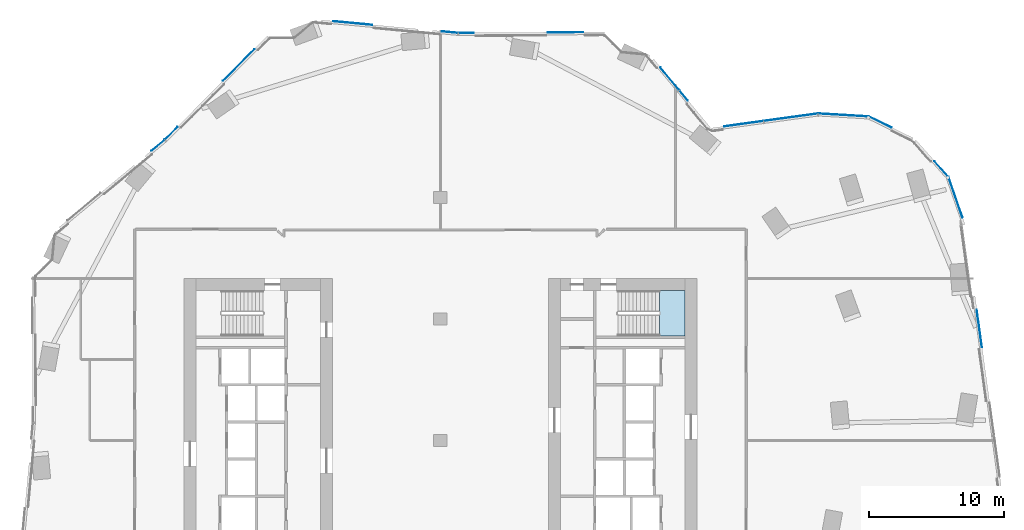
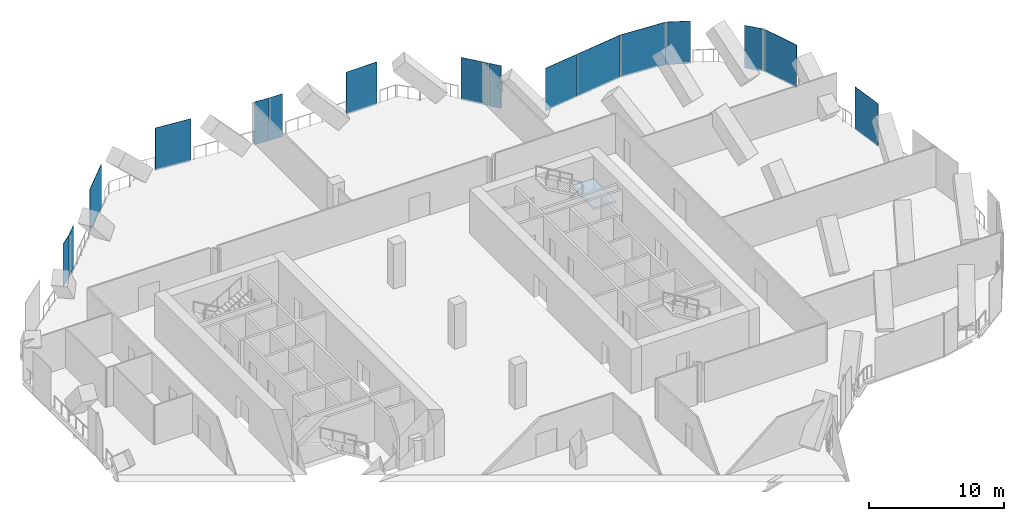
# One storey, part 19 of 29: 16 plates, 1 slab, 12 elements without a shape of their own.
"""IFC4 building model written with IfcOpenShell, lengths in metres."""

from ifc_helpers import new_model, si_unit, direction, frame, origin, origin_2d, place, context, subcontext, project, spatial, polyline, rectangle, outline, extrude, material, layer, layer_set, type_object, element, aggregate, save


model = new_model("IFC4")

# Units and contexts
model_context = context("Model", 3, precision=1e-05, world=origin(), true_north=direction((0.0, 1.0)))
body_context = subcontext(model_context, "Body", "Model", "MODEL_VIEW")
ifc_project = project(units=[si_unit("LENGTHUNIT", "METRE"), si_unit("AREAUNIT", "SQUARE_METRE"), si_unit("VOLUMEUNIT", "CUBIC_METRE"), si_unit("PLANEANGLEUNIT", "RADIAN"), si_unit("MASSUNIT", "GRAM", prefix="KILO")], contexts=[model_context])

# Site, building, storey
site_placement = place(None, origin())
site = spatial("IfcSite", under=ifc_project, at=site_placement, CompositionType="ELEMENT")
building_placement = place(site_placement, origin())
building = spatial("IfcBuilding", under=site, at=building_placement, Name="Orlundy Tower", CompositionType="ELEMENT")
storey_placement = place(building_placement, frame((0.0, 0.0, 184.60009765625)))
storey = spatial("IfcBuildingStorey", under=building, at=storey_placement, Name="L48", CompositionType="ELEMENT", Elevation=184.60009765625)

# Curtain wall, plate
ifc_material_1 = material(Name="Aluminium bronze anodised", Category="aluminium")
curtain_wall_type = type_object("IfcCurtainWallType", Name="CW5 wall", PredefinedType="NOTDEFINED", material=ifc_material_1)
curtain_wall_1_placement = place(storey_placement, origin())
curtain_wall_1 = element("IfcCurtainWall", 1, at=curtain_wall_1_placement, inside=storey, type_object=curtain_wall_type, Name="CW5 run 07", PredefinedType="NOTDEFINED")
ifc_material_2 = material(Name="Tinted glass", Category="glass")
ifc_layer_1 = layer(ifc_material_2, 0.031982421875)
ifc_layer_set_1 = layer_set([ifc_layer_1], Name="CW5 glass panel 32")
plate_type_1 = type_object("IfcPlateType", Name="CW5 glass panel 32", PredefinedType="CURTAIN_PANEL", material=ifc_layer_set_1)
plate_1_placement = place(storey_placement, frame((-20.9208984375, 21.863037109375, -0.2802734375), z_axis=(0.0, 0.0, 1.0), x_axis=(0.769777681772, 0.638312087185, 0.0)))
plate_1 = element("IfcPlate", 2, at=plate_1_placement, type_object=plate_type_1, Name="CW5 panel", PredefinedType="CURTAIN_PANEL", context=body_context, shape_type="SweptSolid", body=[
    extrude(rectangle(XDim=1.252685546875, YDim=0.031982421875, at=origin_2d()), origin(), (0.0, 0.0, 1.0), 3.860107421875),
])
aggregate(curtain_wall_1, [plate_1])

curtain_wall_2_placement = place(storey_placement, origin())
curtain_wall_2 = element("IfcCurtainWall", 3, at=curtain_wall_2_placement, inside=storey, type_object=curtain_wall_type, Name="CW5 run 08", PredefinedType="NOTDEFINED")
plate_2_placement = place(storey_placement, frame((-14.9443359375, 27.818115234375, -0.2802734375), z_axis=(0.0, 0.0, 1.0), x_axis=(0.702983279924, 0.711206375215, 0.0)))
plate_2 = element("IfcPlate", 4, at=plate_2_placement, type_object=plate_type_1, Name="CW5 panel", PredefinedType="CURTAIN_PANEL", context=body_context, shape_type="SweptSolid", body=[
    extrude(rectangle(XDim=3.2978515625, YDim=0.031982421875, at=origin_2d()), origin(), (0.0, 0.0, 1.0), 3.860107421875),
])

# Curtain wall, plates
curtain_wall_3_placement = place(storey_placement, origin())
curtain_wall_3 = element("IfcCurtainWall", 5, at=curtain_wall_3_placement, inside=storey, type_object=curtain_wall_type, Name="CW5 run 011", PredefinedType="NOTDEFINED")
plate_3_placement = place(storey_placement, frame((-6.49755859375, 30.921630859375, -0.2802734375), z_axis=(0.0, 0.0, 1.0), x_axis=(0.995669988936, -0.092958448423, 0.0)))
plate_3 = element("IfcPlate", 6, at=plate_3_placement, type_object=plate_type_1, Name="CW5 panel", PredefinedType="CURTAIN_PANEL", context=body_context, shape_type="SweptSolid", body=[
    extrude(rectangle(XDim=2.92919921875, YDim=0.031982421875, at=origin_2d()), origin(), (0.0, 0.0, 1.0), 3.860107421875),
])
plate_4_placement = place(storey_placement, frame((0.703125, 30.249267578125, -0.2802734375), z_axis=(0.0, 0.0, 1.0), x_axis=(0.995669988936, -0.092958448423, 0.0)))
plate_4 = element("IfcPlate", 7, at=plate_4_placement, type_object=plate_type_1, Name="CW5 panel", PredefinedType="CURTAIN_PANEL", context=body_context, shape_type="SweptSolid", body=[
    extrude(rectangle(XDim=1.182861328125, YDim=0.031982421875, at=origin_2d()), origin(), (0.0, 0.0, 1.0), 3.860107421875),
])
aggregate(curtain_wall_3, [plate_3, plate_4])

# Curtain wall, plate
curtain_wall_4_placement = place(storey_placement, origin())
curtain_wall_4 = element("IfcCurtainWall", 8, at=curtain_wall_4_placement, inside=storey, type_object=curtain_wall_type, Name="CW5 run 012", PredefinedType="NOTDEFINED")
plate_5_placement = place(storey_placement, frame((9.26025390625, 30.238525390625, -0.2802734375), z_axis=(0.0, 0.0, 1.0), x_axis=(0.999982898035, 0.005848387588, 0.0)))
plate_5 = element("IfcPlate", 9, at=plate_5_placement, type_object=plate_type_1, Name="CW5 panel", PredefinedType="CURTAIN_PANEL", context=body_context, shape_type="SweptSolid", body=[
    extrude(rectangle(XDim=2.62158203125, YDim=0.031982421875, at=origin_2d()), origin(), (0.0, 0.0, 1.0), 3.860107421875),
])

# Curtain wall, plates
curtain_wall_5_placement = place(storey_placement, origin())
curtain_wall_5 = element("IfcCurtainWall", 10, at=curtain_wall_5_placement, inside=storey, type_object=curtain_wall_type, Name="CW5 run 015", PredefinedType="NOTDEFINED")
plate_6_placement = place(storey_placement, frame((16.988525390625, 26.798828125, -0.2802734375), z_axis=(0.0, 0.0, 1.0), x_axis=(0.638256962692, -0.769823388561, 0.0)))
plate_6 = element("IfcPlate", 11, at=plate_6_placement, type_object=plate_type_1, Name="CW5 panel", PredefinedType="CURTAIN_PANEL", context=body_context, shape_type="SweptSolid", body=[
    extrude(rectangle(XDim=2.176513671875, YDim=0.031982421875, at=origin_2d()), origin(), (0.0, 0.0, 1.0), 3.860107421875),
])
plate_7_placement = place(storey_placement, frame((18.020263671875, 25.554443359375, -0.2802734375), z_axis=(0.0, 0.0, 1.0), x_axis=(0.638256962692, -0.769823388561, 0.0)))
plate_7 = element("IfcPlate", 12, at=plate_7_placement, type_object=plate_type_1, Name="CW5 panel", PredefinedType="CURTAIN_PANEL", context=body_context, shape_type="SweptSolid", body=[
    extrude(rectangle(XDim=0.95654296875, YDim=0.031982421875, at=origin_2d()), origin(), (0.0, 0.0, 1.0), 3.860107421875),
])
aggregate(curtain_wall_5, [plate_6, plate_7])

# Curtain wall, plate
curtain_wall_6_placement = place(storey_placement, origin())
curtain_wall_6 = element("IfcCurtainWall", 13, at=curtain_wall_6_placement, inside=storey, type_object=curtain_wall_type, Name="CW5 run 016", PredefinedType="NOTDEFINED")
plate_8_placement = place(storey_placement, frame((25.961181640625, 23.945556640625, -0.2802734375), z_axis=(0.0, 0.0, 1.0), x_axis=(0.99068320915, 0.136186559942, 0.0)))
plate_8 = element("IfcPlate", 14, at=plate_8_placement, type_object=plate_type_1, Name="CW5 panel", PredefinedType="CURTAIN_PANEL", context=body_context, shape_type="SweptSolid", body=[
    extrude(rectangle(XDim=4.021240234375, YDim=0.031982421875, at=origin_2d()), origin(), (0.0, 0.0, 1.0), 3.860107421875),
])

curtain_wall_7_placement = place(storey_placement, origin())
curtain_wall_7 = element("IfcCurtainWall", 15, at=curtain_wall_7_placement, inside=storey, type_object=curtain_wall_type, Name="CW5 run 017", PredefinedType="NOTDEFINED")
plate_9_placement = place(storey_placement, frame((29.86767578125, 24.1103515625, -0.2802734375), z_axis=(0.0, 0.0, 1.0), x_axis=(0.998236959791, -0.059354630041, 0.0)))
plate_9 = element("IfcPlate", 16, at=plate_9_placement, type_object=plate_type_1, Name="CW5 panel", PredefinedType="CURTAIN_PANEL", context=body_context, shape_type="SweptSolid", body=[
    extrude(rectangle(XDim=3.736083984375, YDim=0.031982421875, at=origin_2d()), origin(), (0.0, 0.0, 1.0), 3.860107421875),
])
aggregate(curtain_wall_7, [plate_9])

curtain_wall_8_placement = place(storey_placement, origin())
curtain_wall_8 = element("IfcCurtainWall", 17, at=curtain_wall_8_placement, inside=storey, type_object=curtain_wall_type, Name="CW5 run 019", PredefinedType="NOTDEFINED")
plate_10_placement = place(storey_placement, frame((37.121826171875, 20.1044921875, -0.2802734375), z_axis=(0.0, 0.0, 1.0), x_axis=(0.663760711342, -0.747944996694, 0.0)))
plate_10 = element("IfcPlate", 18, at=plate_10_placement, type_object=plate_type_1, Name="CW5 panel", PredefinedType="CURTAIN_PANEL", context=body_context, shape_type="SweptSolid", body=[
    extrude(rectangle(XDim=1.56396484375, YDim=0.031982421875, at=origin_2d()), origin(), (0.0, 0.0, 1.0), 3.860107421875),
])
aggregate(curtain_wall_8, [plate_10])

curtain_wall_9_placement = place(storey_placement, origin())
curtain_wall_9 = element("IfcCurtainWall", 19, at=curtain_wall_9_placement, inside=storey, type_object=curtain_wall_type, Name="CW5 run 020", PredefinedType="NOTDEFINED")
plate_11_placement = place(storey_placement, frame((38.159912109375, 18.01953125, -0.2802734375), z_axis=(0.0, 0.0, 1.0), x_axis=(0.32697157273, -0.945034174317, 0.0)))
plate_11 = element("IfcPlate", 20, at=plate_11_placement, type_object=plate_type_1, Name="CW5 panel", PredefinedType="CURTAIN_PANEL", context=body_context, shape_type="SweptSolid", body=[
    extrude(rectangle(XDim=3.175048828125, YDim=0.031982421875, at=origin_2d()), origin(), (0.0, 0.0, 1.0), 3.860107421875),
])
aggregate(curtain_wall_9, [plate_11])

curtain_wall_10_placement = place(storey_placement, origin())
curtain_wall_10 = element("IfcCurtainWall", 21, at=curtain_wall_10_placement, inside=storey, type_object=curtain_wall_type, Name="CW5 run 021", PredefinedType="NOTDEFINED")
plate_12_placement = place(storey_placement, frame((39.9248046875, 8.30322265625, -0.2802734375), z_axis=(0.0, 0.0, 1.0), x_axis=(0.13628610677, -0.990669519619, 0.0)))
plate_12 = element("IfcPlate", 22, at=plate_12_placement, type_object=plate_type_1, Name="CW5 panel", PredefinedType="CURTAIN_PANEL", context=body_context, shape_type="SweptSolid", body=[
    extrude(rectangle(XDim=2.80517578125, YDim=0.031982421875, at=origin_2d()), origin(), (0.0, 0.0, 1.0), 3.860107421875),
])
aggregate(curtain_wall_10, [plate_12])

# Plate
ifc_material_3 = material(Name="Tinted glass", Category="glass")
ifc_layer_2 = layer(ifc_material_3, 0.031982421875)
ifc_layer_set_2 = layer_set([ifc_layer_2], Name="CW5 vent panel 32")
plate_type_2 = type_object("IfcPlateType", Name="CW5 vent panel 32", PredefinedType="CURTAIN_PANEL", material=ifc_layer_set_2)
plate_13_placement = place(storey_placement, frame((-19.940673828125, 22.763427734375, -0.2802734375), z_axis=(0.0, 0.0, 1.0), x_axis=(0.702983279924, 0.711206375215, 0.0)))
plate_13 = element("IfcPlate", 23, at=plate_13_placement, type_object=plate_type_2, Name="CW5 panel", PredefinedType="CURTAIN_PANEL", context=body_context, shape_type="SweptSolid", body=[
    extrude(rectangle(XDim=1.3125, YDim=0.031982421875, at=origin_2d()), origin(), (0.0, 0.0, 1.0), 3.860107421875),
])

aggregate(curtain_wall_2, [plate_13, plate_2])

plate_14_placement = place(storey_placement, frame((1.9033203125, 30.195556640625, -0.2802734375), z_axis=(0.0, 0.0, 1.0), x_axis=(0.999982898035, 0.005848387588, 0.0)))
plate_14 = element("IfcPlate", 24, at=plate_14_placement, type_object=plate_type_2, Name="CW5 panel", PredefinedType="CURTAIN_PANEL", context=body_context, shape_type="SweptSolid", body=[
    extrude(rectangle(XDim=1.12255859375, YDim=0.031982421875, at=origin_2d()), origin(), (0.0, 0.0, 1.0), 3.860107421875),
])

aggregate(curtain_wall_4, [plate_14, plate_5])

plate_15_placement = place(storey_placement, frame((22.4658203125, 23.465087890625, -0.2802734375), z_axis=(0.0, 0.0, 1.0), x_axis=(0.99068320915, 0.136186559942, 0.0)))
plate_15 = element("IfcPlate", 25, at=plate_15_placement, type_object=plate_type_2, Name="CW5 panel", PredefinedType="CURTAIN_PANEL", context=body_context, shape_type="SweptSolid", body=[
    extrude(rectangle(XDim=2.93505859375, YDim=0.031982421875, at=origin_2d()), origin(), (0.0, 0.0, 1.0), 3.860107421875),
])

aggregate(curtain_wall_6, [plate_15, plate_8])

# Curtain wall, plate
curtain_wall_11_placement = place(storey_placement, origin())
curtain_wall_11 = element("IfcCurtainWall", 26, at=curtain_wall_11_placement, inside=storey, type_object=curtain_wall_type, Name="CW5 run 018", PredefinedType="NOTDEFINED")
plate_16_placement = place(storey_placement, frame((32.572998046875, 23.5908203125, -0.2802734375), z_axis=(0.0, 0.0, 1.0), x_axis=(0.89933544334, -0.43725937423, 0.0)))
plate_16 = element("IfcPlate", 27, at=plate_16_placement, type_object=plate_type_2, Name="CW5 panel", PredefinedType="CURTAIN_PANEL", context=body_context, shape_type="SweptSolid", body=[
    extrude(rectangle(XDim=1.869140625, YDim=0.031982421875, at=origin_2d()), origin(), (0.0, 0.0, 1.0), 3.860107421875),
])
aggregate(curtain_wall_11, [plate_16])

# Stair, slab
ifc_material_4 = material(Name="Concrete C50/60", Category="concrete")
stair_type = type_object("IfcStairType", Name="Exit Stair 24 risers", PredefinedType="HALF_TURN_STAIR", material=ifc_material_4)
stair_placement = place(storey_placement, origin())
stair = element("IfcStair", 28, at=stair_placement, inside=storey, type_object=stair_type, Name="L48 Exit Stair ST-E2", PredefinedType="HALF_TURN_STAIR")
ifc_material_5 = material(Name="Concrete C50/60", Category="concrete")
ifc_layer_3 = layer(ifc_material_5, 0.199951171875)
ifc_layer_set_3 = layer_set([ifc_layer_3], Name="Exit Stair Landing")
slab_type = type_object("IfcSlabType", Name="Exit Stair Landing", PredefinedType="LANDING", material=ifc_layer_set_3)
slab_placement = place(storey_placement, frame((0.0, 0.0, 1.7998046875)))
slab = element("IfcSlab", 29, at=slab_placement, type_object=slab_type, Name="ST-E2 landing 1", PredefinedType="LANDING", context=body_context, shape_type="SweptSolid", body=[
    extrude(outline(polyline([(16.219970703125, 7.75), (18.10009765625, 7.75), (18.10009765625, 11.10009765625), (16.219970703125, 11.10009765625), (16.219970703125, 7.75)])), origin(), (0.0, 0.0, 1.0), 0.2001953125),
])
aggregate(stair, [slab])

save(model, "model.ifc")
